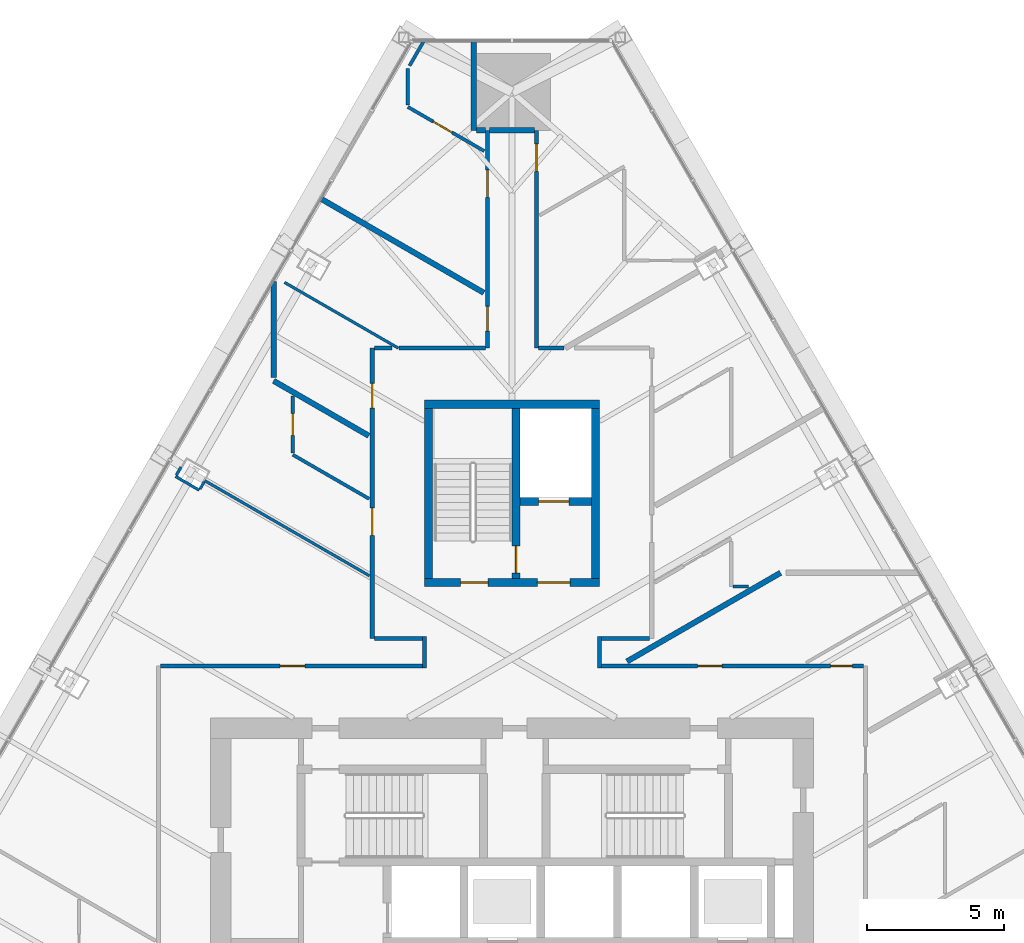
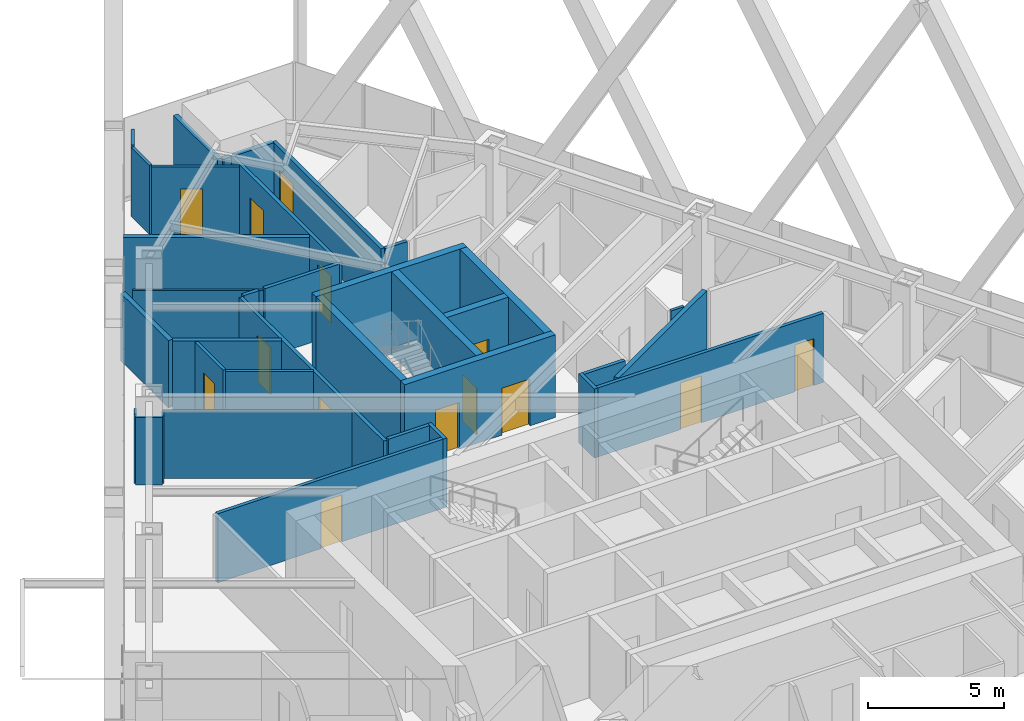
# One storey, part 16 of 19: 36 walls, 14 doors, 14 openings.
"""IFC4 building model written with IfcOpenShell, lengths in metres."""

from ifc_helpers import new_model, si_unit, direction, frame, frame_2d, origin, place, context, subcontext, project, spatial, rectangle, extrude, material, layer, layer_set, type_object, element, fill, save


model = new_model("IFC4")

# Units and contexts
model_context = context("Model", 3, precision=1e-05, world=origin(), true_north=direction((0.0, 1.0)))
body_context = subcontext(model_context, "Body", "Model", "MODEL_VIEW")
ifc_project = project(units=[si_unit("LENGTHUNIT", "METRE"), si_unit("AREAUNIT", "SQUARE_METRE"), si_unit("VOLUMEUNIT", "CUBIC_METRE"), si_unit("PLANEANGLEUNIT", "RADIAN"), si_unit("MASSUNIT", "GRAM", prefix="KILO")], contexts=[model_context])

# Site, building, storey
site_placement = place(None, origin())
site = spatial("IfcSite", under=ifc_project, at=site_placement, CompositionType="ELEMENT")
building_placement = place(site_placement, origin())
building = spatial("IfcBuilding", under=site, at=building_placement, Name="Firuza Gate Tower and Library", CompositionType="ELEMENT")
storey_placement = place(building_placement, frame((0.0, 0.0, 187.0)))
storey = spatial("IfcBuildingStorey", under=building, at=storey_placement, Name="L43", CompositionType="ELEMENT", Elevation=187.0)

# Wall, openings, doors
ifc_material_1 = material(Name="Concrete C80/95", Category="concrete")
ifc_layer_1 = layer(ifc_material_1, 0.300048828125)
ifc_layer_set_1 = layer_set([ifc_layer_1], Name="Core wall 300 C80/95")
wall_type_1 = type_object("IfcWallType", Name="Core wall 300 C80/95", PredefinedType="SHEAR", material=ifc_layer_set_1)
wall_1_placement = place(storey_placement, frame((71.800048828125, 87.949951171875, 0.0), z_axis=(0.0, 0.0, 1.0), x_axis=(1.0, 0.0, 0.0)))
wall_1 = element("IfcWall", 1, at=wall_1_placement, inside=storey, type_object=wall_type_1, Name="Core wall L43 27", PredefinedType="SHEAR", context=body_context, shape_type="SweptSolid", body=[
    extrude(rectangle(XDim=6.39990234375, YDim=0.300048828125, at=frame_2d((3.199951171875, 0.0))), origin(), (0.0, 0.0, 1.0), 3.699951171875),
])
opening_1_placement = place(wall_1_placement, frame((1.324951171875, 0.0, 0.0)))
opening_1 = element("IfcOpeningElement", 2, at=opening_1_placement, cuts=wall_1, Name="Opening L43-K15", PredefinedType="OPENING", context=body_context, shape_type="SweptSolid", body=[
    extrude(rectangle(XDim=1.0, YDim=2.10009765625, at=frame_2d((0.5, 1.050048828125))), frame((0.0, 0.16015625, 0.0), z_axis=(0.0, -1.0, 0.0), x_axis=(1.0, 0.0, 0.0)), (0.0, 0.0, 1.0), 0.320068359375),
])
opening_2_placement = place(wall_1_placement, frame((4.125, 0.0, 0.0)))
opening_2 = element("IfcOpeningElement", 3, at=opening_2_placement, cuts=wall_1, Name="Opening L43-K17", PredefinedType="OPENING", context=body_context, shape_type="SweptSolid", body=[
    extrude(rectangle(XDim=1.199951171875, YDim=2.10009765625, at=frame_2d((0.60009765625, 1.050048828125))), frame((0.0, 0.16015625, 0.0), z_axis=(0.0, -1.0, 0.0), x_axis=(1.0, 0.0, 0.0)), (0.0, 0.0, 1.0), 0.320068359375),
])
ifc_material_2 = material(Name="Steel", Category="steel")
door_type_1 = type_object("IfcDoorType", Name="Fire door 1000x2100 FD90", OperationType="NOTDEFINED", PredefinedType="DOOR", material=ifc_material_2)
door_1_placement = place(opening_1_placement, origin())
door_1 = element("IfcDoor", 4, at=door_1_placement, inside=storey, type_object=door_type_1, Name="Door L43-K15", OperationType="SINGLE_SWING_RIGHT", OverallHeight=2.10009765625, OverallWidth=1.0, PredefinedType="DOOR", context=body_context, shape_type="SweptSolid", body=[
    extrude(rectangle(XDim=1.0, YDim=2.10009765625, at=frame_2d((0.5, 1.050048828125))), frame((0.0, 0.02490234375, 0.0), z_axis=(0.0, -1.0, 0.0), x_axis=(1.0, 0.0, 0.0)), (0.0, 0.0, 1.0), 0.050048828125),
])
fill(opening_1, door_1)
ifc_material_3 = material(Name="Steel", Category="steel")
door_type_2 = type_object("IfcDoorType", Name="Fire door 1200x2100 FD30S", OperationType="NOTDEFINED", PredefinedType="DOOR", material=ifc_material_3)
door_2_placement = place(opening_2_placement, origin())
door_2 = element("IfcDoor", 5, at=door_2_placement, inside=storey, type_object=door_type_2, Name="Door L43-K17", OperationType="SINGLE_SWING_RIGHT", OverallHeight=2.10009765625, OverallWidth=1.199951171875, PredefinedType="DOOR", context=body_context, shape_type="SweptSolid", body=[
    extrude(rectangle(XDim=1.199951171875, YDim=2.10009765625, at=frame_2d((0.60009765625, 1.050048828125))), frame((0.0, 0.02490234375, 0.0), z_axis=(0.0, -1.0, 0.0), x_axis=(1.0, 0.0, 0.0)), (0.0, 0.0, 1.0), 0.050048828125),
])
fill(opening_2, door_2)

# Walls
wall_2_placement = place(storey_placement, frame((71.800048828125, 94.449951171875, 0.0), z_axis=(0.0, 0.0, 1.0), x_axis=(1.0, 0.0, 0.0)))
element("IfcWall", 6, at=wall_2_placement, inside=storey, type_object=wall_type_1, Name="Core wall L43 28", PredefinedType="SHEAR", context=body_context, shape_type="SweptSolid", body=[
    extrude(rectangle(XDim=6.39990234375, YDim=0.300048828125, at=frame_2d((3.199951171875, 0.0))), origin(), (0.0, 0.0, 1.0), 3.699951171875),
])
for number, where, z_axis, x_axis, name in (
    (7, (71.949951171875, 88.10009765625, 0.0), (0.0, 0.0, 1.0), (0.0, 1.0, 0.0), "Core wall L43 29"),
    (8, (78.050048828125, 88.10009765625, 0.0), (0.0, 0.0, 1.0), (0.0, 1.0, 0.0), "Core wall L43 30"),
):
    element("IfcWall", number, at=place(storey_placement, frame(where, z_axis=z_axis, x_axis=x_axis)), inside=storey, type_object=wall_type_1, Name=name, PredefinedType="SHEAR", context=body_context, shape_type="SweptSolid", body=[
        extrude(rectangle(XDim=6.199951171875, YDim=0.300048828125, at=frame_2d((3.10009765625, 0.0))), origin(), (0.0, 0.0, 1.0), 3.699951171875),
    ])

# Wall, opening, door
wall_3_placement = place(storey_placement, frame((75.300048828125, 90.89990234375, 0.0), z_axis=(0.0, 0.0, 1.0), x_axis=(1.0, 0.0, 0.0)))
wall_3 = element("IfcWall", 9, at=wall_3_placement, inside=storey, type_object=wall_type_1, Name="Core wall L43 31", PredefinedType="SHEAR", context=body_context, shape_type="SweptSolid", body=[
    extrude(rectangle(XDim=2.599853515625, YDim=0.300048828125, at=frame_2d((1.2998046875, 0.0))), origin(), (0.0, 0.0, 1.0), 3.699951171875),
])
opening_3_placement = place(wall_3_placement, frame((0.675048828125, 0.0, 0.0)))
opening_3 = element("IfcOpeningElement", 10, at=opening_3_placement, cuts=wall_3, Name="Opening LD-SV1-L43", PredefinedType="OPENING", context=body_context, shape_type="SweptSolid", body=[
    extrude(rectangle(XDim=1.10009765625, YDim=2.10009765625, at=frame_2d((0.550048828125, 1.050048828125))), frame((0.0, 0.16015625, 0.0), z_axis=(0.0, -1.0, 0.0), x_axis=(1.0, 0.0, 0.0)), (0.0, 0.0, 1.0), 0.320068359375),
])
ifc_material_4 = material(Name="Stainless steel", Category="steel")
door_type_3 = type_object("IfcDoorType", Name="Lift landing door 1100x2100", OperationType="DOUBLE_DOOR_SLIDING", PredefinedType="DOOR", material=ifc_material_4)
door_3_placement = place(opening_3_placement, origin())
door_3 = element("IfcDoor", 11, at=door_3_placement, inside=storey, type_object=door_type_3, Name="Landing door SV1 L43", OperationType="DOUBLE_DOOR_SLIDING", OverallHeight=2.10009765625, OverallWidth=1.10009765625, PredefinedType="DOOR", context=body_context, shape_type="SweptSolid", body=[
    extrude(rectangle(XDim=1.10009765625, YDim=2.10009765625, at=frame_2d((0.550048828125, 1.050048828125))), frame((0.0, 0.02490234375, 0.0), z_axis=(0.0, -1.0, 0.0), x_axis=(1.0, 0.0, 0.0)), (0.0, 0.0, 1.0), 0.050048828125),
])
fill(opening_3, door_3)

wall_4_placement = place(storey_placement, frame((75.14990234375, 88.10009765625, 0.0), z_axis=(0.0, 0.0, 1.0), x_axis=(0.0, 1.0, 0.0)))
wall_4 = element("IfcWall", 12, at=wall_4_placement, inside=storey, type_object=wall_type_1, Name="Core wall L43 32", PredefinedType="SHEAR", context=body_context, shape_type="SweptSolid", body=[
    extrude(rectangle(XDim=6.199951171875, YDim=0.300048828125, at=frame_2d((3.10009765625, 0.0))), origin(), (0.0, 0.0, 1.0), 3.699951171875),
])
opening_4_placement = place(wall_4_placement, frame((0.18505859375, 0.0, 0.0)))
opening_4 = element("IfcOpeningElement", 13, at=opening_4_placement, cuts=wall_4, Name="Opening L43-K16", PredefinedType="OPENING", context=body_context, shape_type="SweptSolid", body=[
    extrude(rectangle(XDim=1.0, YDim=2.10009765625, at=frame_2d((0.5, 1.050048828125))), frame((0.0, 0.16015625, 0.0), z_axis=(0.0, -1.0, 0.0), x_axis=(1.0, 0.0, 0.0)), (0.0, 0.0, 1.0), 0.320068359375),
])
door_4_placement = place(opening_4_placement, origin())
door_4 = element("IfcDoor", 14, at=door_4_placement, inside=storey, type_object=door_type_1, Name="Door L43-K16", OperationType="SINGLE_SWING_LEFT", OverallHeight=2.10009765625, OverallWidth=1.0, PredefinedType="DOOR", context=body_context, shape_type="SweptSolid", body=[
    extrude(rectangle(XDim=1.0, YDim=2.10009765625, at=frame_2d((0.5, 1.050048828125))), frame((0.0, 0.02490234375, 0.0), z_axis=(0.0, -1.0, 0.0), x_axis=(1.0, 0.0, 0.0)), (0.0, 0.0, 1.0), 0.050048828125),
])
fill(opening_4, door_4)

ifc_material_5 = material(Name="Gypsum board partition")
ifc_layer_2 = layer(ifc_material_5, 0.14990234375)
ifc_layer_set_2 = layer_set([ifc_layer_2], Name="Corridor wall 150 double board on steel studs")
wall_type_2 = type_object("IfcWallType", Name="Corridor wall 150 double board on steel studs", PredefinedType="PARTITIONING", material=ifc_layer_set_2)
wall_5_placement = place(storey_placement, frame((71.72509765625, 84.89990234375, 0.0), z_axis=(0.0, 0.0, 1.0), x_axis=(-1.0, 0.0, 0.0)))
wall_5 = element("IfcWall", 15, at=wall_5_placement, inside=storey, type_object=wall_type_2, Name="f:L43:w010", PredefinedType="PARTITIONING", context=body_context, shape_type="SweptSolid", body=[
    extrude(rectangle(XDim=9.549560546875, YDim=0.14990234375, at=frame_2d((4.77490234375, 0.0))), origin(), (0.0, 0.0, 1.0), 3.10009765625),
])
opening_5_placement = place(wall_5_placement, frame((4.287353515625, 0.0, 0.0)))
opening_5 = element("IfcOpeningElement", 16, at=opening_5_placement, cuts=wall_5, Name="Opening L43-09", PredefinedType="OPENING", context=body_context, shape_type="SweptSolid", body=[
    extrude(rectangle(XDim=0.89990234375, YDim=2.10009765625, at=frame_2d((0.449951171875, 1.050048828125))), frame((0.0, 0.0849609375, 0.0), z_axis=(0.0, -1.0, 0.0), x_axis=(1.0, 0.0, 0.0)), (0.0, 0.0, 1.0), 0.169921875),
])
ifc_material_6 = material(Name="Steel door and timber leaf", Category="steel")
door_type_4 = type_object("IfcDoorType", Name="Fire door 900 x 2100 steel frame, timber leaf", OperationType="NOTDEFINED", PredefinedType="DOOR", material=ifc_material_6)
door_5_placement = place(opening_5_placement, origin())
door_5 = element("IfcDoor", 17, at=door_5_placement, inside=storey, type_object=door_type_4, Name="f:L43:d009", OperationType="SINGLE_SWING_LEFT", OverallHeight=2.10009765625, OverallWidth=0.89990234375, PredefinedType="DOOR", context=body_context, shape_type="SweptSolid", body=[
    extrude(rectangle(XDim=0.89990234375, YDim=2.10009765625, at=frame_2d((0.449951171875, 1.050048828125))), frame((0.0, 0.02490234375, 0.0), z_axis=(0.0, -1.0, 0.0), x_axis=(1.0, 0.0, 0.0)), (0.0, 0.0, 1.0), 0.050048828125),
])
fill(opening_5, door_5)

# Wall, openings, doors
wall_6_placement = place(storey_placement, frame((78.27490234375, 84.89990234375, 0.0), z_axis=(0.0, 0.0, 1.0), x_axis=(1.0, 0.0, 0.0)))
wall_6 = element("IfcWall", 18, at=wall_6_placement, inside=storey, type_object=wall_type_2, Name="f:L43:w011", PredefinedType="PARTITIONING", context=body_context, shape_type="SweptSolid", body=[
    extrude(rectangle(XDim=9.550048828125, YDim=0.14990234375, at=frame_2d((4.77490234375, 0.0))), origin(), (0.0, 0.0, 1.0), 3.10009765625),
])
opening_6_placement = place(wall_6_placement, frame((3.4970703125, 0.0, 0.0)))
opening_6 = element("IfcOpeningElement", 19, at=opening_6_placement, cuts=wall_6, Name="Opening L43-10", PredefinedType="OPENING", context=body_context, shape_type="SweptSolid", body=[
    extrude(rectangle(XDim=0.89990234375, YDim=2.10009765625, at=frame_2d((0.449951171875, 1.050048828125))), frame((0.0, 0.0849609375, 0.0), z_axis=(0.0, -1.0, 0.0), x_axis=(1.0, 0.0, 0.0)), (0.0, 0.0, 1.0), 0.169921875),
])
opening_7_placement = place(wall_6_placement, frame((8.3505859375, 0.0, 0.0)))
opening_7 = element("IfcOpeningElement", 20, at=opening_7_placement, cuts=wall_6, Name="Opening L43-11", PredefinedType="OPENING", context=body_context, shape_type="SweptSolid", body=[
    extrude(rectangle(XDim=0.800048828125, YDim=2.10009765625, at=frame_2d((0.39990234375, 1.050048828125))), frame((0.0, 0.0849609375, 0.0), z_axis=(0.0, -1.0, 0.0), x_axis=(1.0, 0.0, 0.0)), (0.0, 0.0, 1.0), 0.169921875),
])
ifc_material_7 = material(Name="Timber door", Category="wood")
door_type_5 = type_object("IfcDoorType", Name="Door 800 x 2100 timber leaf", OperationType="NOTDEFINED", PredefinedType="DOOR", material=ifc_material_7)
door_6_placement = place(opening_7_placement, origin())
door_6 = element("IfcDoor", 21, at=door_6_placement, inside=storey, type_object=door_type_5, Name="f:L43:d011", OperationType="SINGLE_SWING_RIGHT", OverallHeight=2.10009765625, OverallWidth=0.800048828125, PredefinedType="DOOR", context=body_context, shape_type="SweptSolid", body=[
    extrude(rectangle(XDim=0.800048828125, YDim=2.10009765625, at=frame_2d((0.39990234375, 1.050048828125))), frame((0.0, 0.02490234375, 0.0), z_axis=(0.0, -1.0, 0.0), x_axis=(1.0, 0.0, 0.0)), (0.0, 0.0, 1.0), 0.050048828125),
])
fill(opening_7, door_6)
door_7_placement = place(opening_6_placement, origin())
door_7 = element("IfcDoor", 22, at=door_7_placement, inside=storey, type_object=door_type_4, Name="f:L43:d010", OperationType="SINGLE_SWING_LEFT", OverallHeight=2.10009765625, OverallWidth=0.89990234375, PredefinedType="DOOR", context=body_context, shape_type="SweptSolid", body=[
    extrude(rectangle(XDim=0.89990234375, YDim=2.10009765625, at=frame_2d((0.449951171875, 1.050048828125))), frame((0.0, 0.02490234375, 0.0), z_axis=(0.0, -1.0, 0.0), x_axis=(1.0, 0.0, 0.0)), (0.0, 0.0, 1.0), 0.050048828125),
])
fill(opening_6, door_7)

# Walls
wall_7_placement = place(storey_placement, frame((69.9755859375, 85.89990234375, 0.0), z_axis=(0.0, 0.0, 1.0), x_axis=(1.0, 0.0, 0.0)))
element("IfcWall", 23, at=wall_7_placement, inside=storey, type_object=wall_type_2, Name="f:L43:w012", PredefinedType="PARTITIONING", context=body_context, shape_type="SweptSolid", body=[
    extrude(rectangle(XDim=1.74951171875, YDim=0.14990234375, at=frame_2d((0.874755859375, 0.0))), origin(), (0.0, 0.0, 1.0), 3.10009765625),
])
wall_8_placement = place(storey_placement, frame((78.27490234375, 85.89990234375, 0.0), z_axis=(0.0, 0.0, 1.0), x_axis=(1.0, 0.0, 0.0)))
element("IfcWall", 24, at=wall_8_placement, inside=storey, type_object=wall_type_2, Name="f:L43:w013", PredefinedType="PARTITIONING", context=body_context, shape_type="SweptSolid", body=[
    extrude(rectangle(XDim=1.75, YDim=0.14990234375, at=frame_2d((0.875, 0.0))), origin(), (0.0, 0.0, 1.0), 3.10009765625),
])
wall_9_placement = place(storey_placement, frame((69.97509765625, 96.5, 0.0), z_axis=(0.0, 0.0, 1.0), x_axis=(1.0, 0.0, 0.0)))
element("IfcWall", 25, at=wall_9_placement, inside=storey, type_object=wall_type_2, Name="f:L43:w016", PredefinedType="PARTITIONING", context=body_context, shape_type="SweptSolid", body=[
    extrude(rectangle(XDim=0.64599609375, YDim=0.14990234375, at=frame_2d((0.322998046875, 0.0))), origin(), (0.0, 0.0, 1.0), 3.10009765625),
])
wall_10_placement = place(storey_placement, frame((75.97509765625, 96.5, 0.0), z_axis=(0.0, 0.0, 1.0), x_axis=(1.0, 0.0, 0.0)))
element("IfcWall", 26, at=wall_10_placement, inside=storey, type_object=wall_type_2, Name="f:L43:w017", PredefinedType="PARTITIONING", context=body_context, shape_type="SweptSolid", body=[
    extrude(rectangle(XDim=0.92529296875, YDim=0.14990234375, at=frame_2d((0.462646484375, 0.0))), origin(), (0.0, 0.0, 1.0), 3.10009765625),
])
wall_11_placement = place(storey_placement, frame((78.199951171875, 84.824951171875, 0.0), z_axis=(0.0, 0.0, 1.0), x_axis=(0.0, 1.0, 0.0)))
element("IfcWall", 27, at=wall_11_placement, inside=storey, type_object=wall_type_2, Name="f:L43:w057", PredefinedType="PARTITIONING", context=body_context, shape_type="SweptSolid", body=[
    extrude(rectangle(XDim=1.150146484375, YDim=0.14990234375, at=frame_2d((0.5751953125, 0.0))), origin(), (0.0, 0.0, 1.0), 3.10009765625),
])

# Wall, opening, door
wall_12_placement = place(storey_placement, frame((75.89990234375, 104.444580078125, 0.0), z_axis=(0.0, 0.0, 1.0), x_axis=(0.0, -1.0, 0.0)))
wall_12 = element("IfcWall", 28, at=wall_12_placement, inside=storey, type_object=wall_type_2, Name="f:L43:w058", PredefinedType="PARTITIONING", context=body_context, shape_type="SweptSolid", body=[
    extrude(rectangle(XDim=7.944580078125, YDim=0.14990234375, at=frame_2d((3.97216796875, 0.0))), origin(), (0.0, 0.0, 1.0), 3.10009765625),
])
opening_8_placement = place(wall_12_placement, frame((0.49462890625, 0.0, 0.0)))
opening_8 = element("IfcOpeningElement", 29, at=opening_8_placement, cuts=wall_12, Name="Opening L43-29", PredefinedType="OPENING", context=body_context, shape_type="SweptSolid", body=[
    extrude(rectangle(XDim=1.0, YDim=2.10009765625, at=frame_2d((0.5, 1.050048828125))), frame((0.0, 0.0849609375, 0.0), z_axis=(0.0, -1.0, 0.0), x_axis=(1.0, 0.0, 0.0)), (0.0, 0.0, 1.0), 0.169921875),
])
ifc_material_8 = material(Name="Steel door and timber leaf", Category="steel")
door_type_6 = type_object("IfcDoorType", Name="Fire door 1000 x 2100 steel frame, timber leaf", OperationType="NOTDEFINED", PredefinedType="DOOR", material=ifc_material_8)
door_8_placement = place(opening_8_placement, origin())
door_8 = element("IfcDoor", 30, at=door_8_placement, inside=storey, type_object=door_type_6, Name="f:L43:d029", OperationType="SINGLE_SWING_LEFT", OverallHeight=2.10009765625, OverallWidth=1.0, PredefinedType="DOOR", context=body_context, shape_type="SweptSolid", body=[
    extrude(rectangle(XDim=1.0, YDim=2.10009765625, at=frame_2d((0.5, 1.050048828125))), frame((0.0, 0.02490234375, 0.0), z_axis=(0.0, -1.0, 0.0), x_axis=(1.0, 0.0, 0.0)), (0.0, 0.0, 1.0), 0.050048828125),
])
fill(opening_8, door_8)

# Wall, openings, doors
wall_13_placement = place(storey_placement, frame((74.10009765625, 96.5, 0.0), z_axis=(0.0, 0.0, 1.0), x_axis=(0.0, 1.0, 0.0)))
wall_13 = element("IfcWall", 31, at=wall_13_placement, inside=storey, type_object=wall_type_2, Name="f:L43:w061", PredefinedType="PARTITIONING", context=body_context, shape_type="SweptSolid", body=[
    extrude(rectangle(XDim=7.945068359375, YDim=0.14990234375, at=frame_2d((3.97265625, 0.0))), origin(), (0.0, 0.0, 1.0), 3.10009765625),
])
opening_9_placement = place(wall_13_placement, frame((0.6240234375, 0.0, 0.0)))
opening_9 = element("IfcOpeningElement", 32, at=opening_9_placement, cuts=wall_13, Name="Opening L43-30", PredefinedType="OPENING", context=body_context, shape_type="SweptSolid", body=[
    extrude(rectangle(XDim=0.89990234375, YDim=2.10009765625, at=frame_2d((0.449951171875, 1.050048828125))), frame((0.0, 0.0849609375, 0.0), z_axis=(0.0, -1.0, 0.0), x_axis=(1.0, 0.0, 0.0)), (0.0, 0.0, 1.0), 0.169921875),
])
opening_10_placement = place(wall_13_placement, frame((5.5009765625, 0.0, 0.0)))
opening_10 = element("IfcOpeningElement", 33, at=opening_10_placement, cuts=wall_13, Name="Opening L43-31", PredefinedType="OPENING", context=body_context, shape_type="SweptSolid", body=[
    extrude(rectangle(XDim=1.0, YDim=2.10009765625, at=frame_2d((0.5, 1.050048828125))), frame((0.0, 0.0849609375, 0.0), z_axis=(0.0, -1.0, 0.0), x_axis=(1.0, 0.0, 0.0)), (0.0, 0.0, 1.0), 0.169921875),
])
door_9_placement = place(opening_10_placement, origin())
door_9 = element("IfcDoor", 34, at=door_9_placement, inside=storey, type_object=door_type_6, Name="f:L43:d031", OperationType="SINGLE_SWING_RIGHT", OverallHeight=2.10009765625, OverallWidth=1.0, PredefinedType="DOOR", context=body_context, shape_type="SweptSolid", body=[
    extrude(rectangle(XDim=1.0, YDim=2.10009765625, at=frame_2d((0.5, 1.050048828125))), frame((0.0, 0.02490234375, 0.0), z_axis=(0.0, -1.0, 0.0), x_axis=(1.0, 0.0, 0.0)), (0.0, 0.0, 1.0), 0.050048828125),
])
fill(opening_10, door_9)
door_10_placement = place(opening_9_placement, origin())
door_10 = element("IfcDoor", 35, at=door_10_placement, inside=storey, type_object=door_type_4, Name="f:L43:d030", OperationType="SINGLE_SWING_RIGHT", OverallHeight=2.10009765625, OverallWidth=0.89990234375, PredefinedType="DOOR", context=body_context, shape_type="SweptSolid", body=[
    extrude(rectangle(XDim=0.89990234375, YDim=2.10009765625, at=frame_2d((0.449951171875, 1.050048828125))), frame((0.0, 0.02490234375, 0.0), z_axis=(0.0, -1.0, 0.0), x_axis=(1.0, 0.0, 0.0)), (0.0, 0.0, 1.0), 0.050048828125),
])
fill(opening_9, door_10)

# Wall
wall_14_placement = place(storey_placement, frame((71.800048828125, 84.824951171875, 0.0), z_axis=(0.0, 0.0, 1.0), x_axis=(0.0, 1.0, 0.0)))
element("IfcWall", 36, at=wall_14_placement, inside=storey, type_object=wall_type_2, Name="f:L43:w064", PredefinedType="PARTITIONING", context=body_context, shape_type="SweptSolid", body=[
    extrude(rectangle(XDim=1.150146484375, YDim=0.14990234375, at=frame_2d((0.5751953125, 0.0))), origin(), (0.0, 0.0, 1.0), 3.10009765625),
])

# Wall, openings, doors
wall_15_placement = place(storey_placement, frame((69.89990234375, 85.900390625, 0.0), z_axis=(0.0, 0.0, 1.0), x_axis=(0.0, 1.0, 0.0)))
wall_15 = element("IfcWall", 37, at=wall_15_placement, inside=storey, type_object=wall_type_2, Name="f:L43:w067", PredefinedType="PARTITIONING", context=body_context, shape_type="SweptSolid", body=[
    extrude(rectangle(XDim=10.599609375, YDim=0.14990234375, at=frame_2d((5.2998046875, 0.0))), origin(), (0.0, 0.0, 1.0), 3.02197265625),
])
opening_11_placement = place(wall_15_placement, frame((3.76708984375, 0.0, 0.0)))
opening_11 = element("IfcOpeningElement", 38, at=opening_11_placement, cuts=wall_15, Name="Opening L43-33", PredefinedType="OPENING", context=body_context, shape_type="SweptSolid", body=[
    extrude(rectangle(XDim=1.0, YDim=2.10009765625, at=frame_2d((0.5, 1.050048828125))), frame((0.0, 0.0849609375, 0.0), z_axis=(0.0, -1.0, 0.0), x_axis=(1.0, 0.0, 0.0)), (0.0, 0.0, 1.0), 0.169921875),
])
opening_12_placement = place(wall_15_placement, frame((8.411865234375, 0.0, 0.0)))
opening_12 = element("IfcOpeningElement", 39, at=opening_12_placement, cuts=wall_15, Name="Opening L43-34", PredefinedType="OPENING", context=body_context, shape_type="SweptSolid", body=[
    extrude(rectangle(XDim=0.89990234375, YDim=2.10009765625, at=frame_2d((0.449951171875, 1.050048828125))), frame((0.0, 0.0849609375, 0.0), z_axis=(0.0, -1.0, 0.0), x_axis=(1.0, 0.0, 0.0)), (0.0, 0.0, 1.0), 0.169921875),
])
door_11_placement = place(opening_11_placement, origin())
door_11 = element("IfcDoor", 40, at=door_11_placement, inside=storey, type_object=door_type_6, Name="f:L43:d033", OperationType="SINGLE_SWING_RIGHT", OverallHeight=2.10009765625, OverallWidth=1.0, PredefinedType="DOOR", context=body_context, shape_type="SweptSolid", body=[
    extrude(rectangle(XDim=1.0, YDim=2.10009765625, at=frame_2d((0.5, 1.050048828125))), frame((0.0, 0.02490234375, 0.0), z_axis=(0.0, -1.0, 0.0), x_axis=(1.0, 0.0, 0.0)), (0.0, 0.0, 1.0), 0.050048828125),
])
fill(opening_11, door_11)
door_12_placement = place(opening_12_placement, origin())
door_12 = element("IfcDoor", 41, at=door_12_placement, inside=storey, type_object=door_type_4, Name="f:L43:d034", OperationType="SINGLE_SWING_LEFT", OverallHeight=2.10009765625, OverallWidth=0.89990234375, PredefinedType="DOOR", context=body_context, shape_type="SweptSolid", body=[
    extrude(rectangle(XDim=0.89990234375, YDim=2.10009765625, at=frame_2d((0.449951171875, 1.050048828125))), frame((0.0, 0.02490234375, 0.0), z_axis=(0.0, -1.0, 0.0), x_axis=(1.0, 0.0, 0.0)), (0.0, 0.0, 1.0), 0.050048828125),
])
fill(opening_12, door_12)

# Walls
wall_16_placement = place(storey_placement, frame((70.87548828125, 96.5, 0.0), z_axis=(0.0, 0.0, 1.0), x_axis=(1.0, 0.0, 0.0)))
element("IfcWall", 42, at=wall_16_placement, inside=storey, type_object=wall_type_2, Name="f:L43:w100", PredefinedType="PARTITIONING", context=body_context, shape_type="SweptSolid", body=[
    extrude(rectangle(XDim=3.1494140625, YDim=0.14990234375, at=frame_2d((1.57470703125, 0.0))), origin(), (0.0, 0.0, 1.0), 3.10009765625),
])
ifc_material_9 = material(Name="Gypsum board partition")
ifc_layer_3 = layer(ifc_material_9, 0.199951171875)
ifc_layer_set_3 = layer_set([ifc_layer_3], Name="Demising wall 200 acoustic double stud")
wall_type_3 = type_object("IfcWallType", Name="Demising wall 200 acoustic double stud", PredefinedType="PARTITIONING", material=ifc_layer_set_3)
wall_17_placement = place(storey_placement, frame((73.700439453125, 104.445068359375, 0.0), z_axis=(0.0, 0.0, 1.0), x_axis=(1.0, 0.0, 0.0)))
element("IfcWall", 43, at=wall_17_placement, inside=storey, type_object=wall_type_3, Name="f:L43:w019", PredefinedType="PARTITIONING", context=body_context, shape_type="SweptSolid", body=[
    extrude(rectangle(XDim=0.324462890625, YDim=0.199951171875, at=frame_2d((0.162109375, 0.0))), origin(), (0.0, 0.0, 1.0), 3.10009765625),
])
wall_18_placement = place(storey_placement, frame((79.197265625, 85.065185546875, 0.0), z_axis=(0.0, 0.0, 1.0), x_axis=(0.86602410867, 0.500002243197, 0.0)))
element("IfcWall", 44, at=wall_18_placement, inside=storey, type_object=wall_type_3, Name="f:L43:w032", PredefinedType="PARTITIONING", context=body_context, shape_type="SweptSolid", body=[
    extrude(rectangle(XDim=6.470703125, YDim=0.199951171875, at=frame_2d((3.2353515625, 0.0))), origin(), (0.0, 0.0, 1.0), 3.10009765625),
])
wall_19_placement = place(storey_placement, frame((73.60009765625, 104.44580078125, 0.0), z_axis=(0.0, 0.0, 1.0), x_axis=(0.0, 1.0, 0.0)))
element("IfcWall", 45, at=wall_19_placement, inside=storey, type_object=wall_type_3, Name="f:L43:w062", PredefinedType="PARTITIONING", context=body_context, shape_type="SweptSolid", body=[
    extrude(rectangle(XDim=3.25927734375, YDim=0.199951171875, at=frame_2d((1.629638671875, 0.0))), origin(), (0.0, 0.0, 1.0), 3.10009765625),
])
wall_20_placement = place(storey_placement, frame((66.300048828125, 95.422607421875, 0.0), z_axis=(0.0, 0.0, 1.0), x_axis=(0.0, 1.0, 0.0)))
element("IfcWall", 46, at=wall_20_placement, inside=storey, type_object=wall_type_3, Name="f:L43:w070", PredefinedType="PARTITIONING", context=body_context, shape_type="SweptSolid", body=[
    extrude(rectangle(XDim=3.509033203125, YDim=0.199951171875, at=frame_2d((1.75439453125, 0.0))), origin(), (0.0, 0.0, 1.0), 3.02197265625),
])
wall_21_placement = place(storey_placement, frame((73.97314453125, 98.518310546875, 0.0), z_axis=(0.0, 0.0, 1.0), x_axis=(-0.866017662945, 0.500013407287, 0.0)))
element("IfcWall", 47, at=wall_21_placement, inside=storey, type_object=wall_type_3, Name="f:L43:w084", PredefinedType="PARTITIONING", context=body_context, shape_type="SweptSolid", body=[
    extrude(rectangle(XDim=6.851806640625, YDim=0.199951171875, at=frame_2d((3.42578125, 0.0))), origin(), (0.0, 0.0, 1.0), 3.10009765625),
])
wall_22_placement = place(storey_placement, frame((69.773193359375, 93.301513671875, 0.0), z_axis=(0.0, 0.0, 1.0), x_axis=(-0.866046692957, 0.499963124258, 0.0)))
element("IfcWall", 48, at=wall_22_placement, inside=storey, type_object=wall_type_3, Name="f:L43:w086", PredefinedType="PARTITIONING", context=body_context, shape_type="SweptSolid", body=[
    extrude(rectangle(XDim=4.010009765625, YDim=0.199951171875, at=frame_2d((2.0048828125, 0.0))), origin(), (0.0, 0.0, 1.0), 3.10009765625),
])
wall_23_placement = place(storey_placement, frame((74.175048828125, 104.445068359375, 0.0), z_axis=(0.0, 0.0, 1.0), x_axis=(1.0, 0.0, 0.0)))
element("IfcWall", 49, at=wall_23_placement, inside=storey, type_object=wall_type_3, Name="f:L43:w102", PredefinedType="PARTITIONING", context=body_context, shape_type="SweptSolid", body=[
    extrude(rectangle(XDim=1.6494140625, YDim=0.199951171875, at=frame_2d((0.82470703125, 0.0))), origin(), (0.0, 0.0, 1.0), 3.096923828125),
])
ifc_material_10 = material(Name="Gypsum board partition")
ifc_layer_4 = layer(ifc_material_10, 0.10009765625)
ifc_layer_set_4 = layer_set([ifc_layer_4], Name="Partition 100 gypsum board on steel studs")
wall_type_4 = type_object("IfcWallType", Name="Partition 100 gypsum board on steel studs", PredefinedType="PARTITIONING", material=ifc_layer_set_4)
wall_24_placement = place(storey_placement, frame((63.6142578125, 91.35888671875, 0.0), z_axis=(0.0, 0.0, 1.0), x_axis=(0.499557828523, 0.866280541142, 0.0)))
element("IfcWall", 50, at=wall_24_placement, inside=storey, type_object=wall_type_4, Name="f:L43:w040", PredefinedType="PARTITIONING", context=body_context, shape_type="SweptSolid", body=[
    extrude(rectangle(XDim=0.299560546875, YDim=0.10009765625, at=frame_2d((0.14990234375, 0.0))), origin(), (0.0, 0.0, 1.0), 3.02197265625),
])
wall_25_placement = place(storey_placement, frame((62.748046875, 91.85888671875, 0.0), z_axis=(0.0, 0.0, 1.0), x_axis=(0.500044870432, 0.865999496279, 0.0)))
element("IfcWall", 51, at=wall_25_placement, inside=storey, type_object=wall_type_4, Name="f:L43:w041", PredefinedType="PARTITIONING", context=body_context, shape_type="SweptSolid", body=[
    extrude(rectangle(XDim=0.349609375, YDim=0.10009765625, at=frame_2d((0.1748046875, 0.0))), origin(), (0.0, 0.0, 1.0), 3.10009765625),
])
wall_26_placement = place(storey_placement, frame((70.8505859375, 96.500244140625, 0.0), z_axis=(0.0, 0.0, 1.0), x_axis=(-0.866016914842, 0.500014702992, 0.0)))
element("IfcWall", 52, at=wall_26_placement, inside=storey, type_object=wall_type_4, Name="f:L43:w085", PredefinedType="PARTITIONING", context=body_context, shape_type="SweptSolid", body=[
    extrude(rectangle(XDim=4.796630859375, YDim=0.10009765625, at=frame_2d((2.3984375, 0.0))), origin(), (0.0, 0.0, 1.0), 3.02197265625),
])
wall_27_placement = place(storey_placement, frame((69.799072265625, 88.19189453125, 0.0), z_axis=(0.0, 0.0, 1.0), x_axis=(-0.866013353477, 0.500020871164, 0.0)))
element("IfcWall", 53, at=wall_27_placement, inside=storey, type_object=wall_type_4, Name="f:L43:w088", PredefinedType="PARTITIONING", context=body_context, shape_type="SweptSolid", body=[
    extrude(rectangle(XDim=6.940185546875, YDim=0.10009765625, at=frame_2d((3.47021484375, 0.0))), origin(), (0.0, 0.0, 1.0), 3.02197265625),
])
wall_28_placement = place(storey_placement, frame((63.58837890625, 91.31591796875, 0.0), z_axis=(0.0, 0.0, 1.0), x_axis=(-0.866039090965, 0.499976292358, 0.0)))
element("IfcWall", 54, at=wall_28_placement, inside=storey, type_object=wall_type_4, Name="f:L43:w089", PredefinedType="PARTITIONING", context=body_context, shape_type="SweptSolid", body=[
    extrude(rectangle(XDim=0.9990234375, YDim=0.10009765625, at=frame_2d((0.49951171875, 0.0))), origin(), (0.0, 0.0, 1.0), 3.02197265625),
])
ifc_material_11 = material(Name="Gypsum board partition")
ifc_layer_5 = layer(ifc_material_11, 0.1201171875)
ifc_layer_set_5 = layer_set([ifc_layer_5], Name="Wet-area partition 120 moisture-resistant board")
wall_type_5 = type_object("IfcWallType", Name="Wet-area partition 120 moisture-resistant board", PredefinedType="PARTITIONING", material=ifc_layer_set_5)
wall_29_placement = place(storey_placement, frame((83.06005859375, 87.800048828125, 0.0), z_axis=(0.0, 0.0, 1.0), x_axis=(1.0, 0.0, 0.0)))
element("IfcWall", 55, at=wall_29_placement, inside=storey, type_object=wall_type_5, Name="f:L43:w014", PredefinedType="PARTITIONING", context=body_context, shape_type="SweptSolid", body=[
    extrude(rectangle(XDim=0.564453125, YDim=0.1201171875, at=frame_2d((0.2822265625, 0.0))), origin(), (0.0, 0.0, 1.0), 3.10009765625),
])
wall_30_placement = place(storey_placement, frame((71.26025390625, 106.802490234375, 0.0), z_axis=(0.0, 0.0, 1.0), x_axis=(0.500094169602, 0.865971028112, 0.0)))
element("IfcWall", 56, at=wall_30_placement, inside=storey, type_object=wall_type_5, Name="f:L43:w042", PredefinedType="PARTITIONING", context=body_context, shape_type="SweptSolid", body=[
    extrude(rectangle(XDim=1.042236328125, YDim=0.1201171875, at=frame_2d((0.52099609375, 0.0))), origin(), (0.0, 0.0, 1.0), 3.10009765625),
])
wall_31_placement = place(storey_placement, frame((71.199951171875, 105.369384765625, 0.0), z_axis=(0.0, 0.0, 1.0), x_axis=(0.0, 1.0, 0.0)))
element("IfcWall", 57, at=wall_31_placement, inside=storey, type_object=wall_type_5, Name="f:L43:w066", PredefinedType="PARTITIONING", context=body_context, shape_type="SweptSolid", body=[
    extrude(rectangle(XDim=1.329345703125, YDim=0.1201171875, at=frame_2d((0.66455078125, 0.0))), origin(), (0.0, 0.0, 1.0), 3.10009765625),
])

# Wall, opening, door
wall_32_placement = place(storey_placement, frame((67.0, 94.74658203125, 0.0), z_axis=(0.0, 0.0, 1.0), x_axis=(0.0, -1.0, 0.0)))
wall_32 = element("IfcWall", 58, at=wall_32_placement, inside=storey, type_object=wall_type_5, Name="f:L43:w068", PredefinedType="PARTITIONING", context=body_context, shape_type="SweptSolid", body=[
    extrude(rectangle(XDim=2.067626953125, YDim=0.1201171875, at=frame_2d((1.03369140625, 0.0))), origin(), (0.0, 0.0, 1.0), 3.10009765625),
])
opening_13_placement = place(wall_32_placement, frame((0.6337890625, 0.0, 0.0)))
opening_13 = element("IfcOpeningElement", 59, at=opening_13_placement, cuts=wall_32, Name="Opening L43-35", PredefinedType="OPENING", context=body_context, shape_type="SweptSolid", body=[
    extrude(rectangle(XDim=0.800048828125, YDim=2.10009765625, at=frame_2d((0.39990234375, 1.050048828125))), frame((0.0, 0.070068359375, 0.0), z_axis=(0.0, -1.0, 0.0), x_axis=(1.0, 0.0, 0.0)), (0.0, 0.0, 1.0), 0.14013671875),
])
door_13_placement = place(opening_13_placement, origin())
door_13 = element("IfcDoor", 60, at=door_13_placement, inside=storey, type_object=door_type_5, Name="f:L43:d035", OperationType="SINGLE_SWING_RIGHT", OverallHeight=2.10009765625, OverallWidth=0.800048828125, PredefinedType="DOOR", context=body_context, shape_type="SweptSolid", body=[
    extrude(rectangle(XDim=0.800048828125, YDim=2.10009765625, at=frame_2d((0.39990234375, 1.050048828125))), frame((0.0, 0.02490234375, 0.0), z_axis=(0.0, -1.0, 0.0), x_axis=(1.0, 0.0, 0.0)), (0.0, 0.0, 1.0), 0.050048828125),
])
fill(opening_13, door_13)

wall_33_placement = place(storey_placement, frame((71.2001953125, 105.300537109375, 0.0), z_axis=(0.0, 0.0, 1.0), x_axis=(0.866010186656, -0.500026355914, 0.0)))
wall_33 = element("IfcWall", 61, at=wall_33_placement, inside=storey, type_object=wall_type_5, Name="f:L43:w083", PredefinedType="PARTITIONING", context=body_context, shape_type="SweptSolid", body=[
    extrude(rectangle(XDim=3.221923828125, YDim=0.1201171875, at=frame_2d((1.61083984375, 0.0))), origin(), (0.0, 0.0, 1.0), 3.10009765625),
])
opening_14_placement = place(wall_33_placement, frame((1.06103515625, 0.0, 0.0)))
opening_14 = element("IfcOpeningElement", 62, at=opening_14_placement, cuts=wall_33, Name="Opening L43-38", PredefinedType="OPENING", context=body_context, shape_type="SweptSolid", body=[
    extrude(rectangle(XDim=0.800048828125, YDim=2.10009765625, at=frame_2d((0.39990234375, 1.050048828125))), frame((0.0, 0.070068359375, 0.0), z_axis=(0.0, -1.0, 0.0), x_axis=(1.0, 0.0, 0.0)), (0.0, 0.0, 1.0), 0.14013671875),
])
door_14_placement = place(opening_14_placement, origin())
door_14 = element("IfcDoor", 63, at=door_14_placement, inside=storey, type_object=door_type_5, Name="f:L43:d038", OperationType="SINGLE_SWING_RIGHT", OverallHeight=2.10009765625, OverallWidth=0.800048828125, PredefinedType="DOOR", context=body_context, shape_type="SweptSolid", body=[
    extrude(rectangle(XDim=0.800048828125, YDim=2.10009765625, at=frame_2d((0.39990234375, 1.050048828125))), frame((0.0, 0.02490234375, 0.0), z_axis=(0.0, -1.0, 0.0), x_axis=(1.0, 0.0, 0.0)), (0.0, 0.0, 1.0), 0.050048828125),
])
fill(opening_14, door_14)

# Wall
wall_34_placement = place(storey_placement, frame((69.790283203125, 90.998291015625, 0.0), z_axis=(0.0, 0.0, 1.0), x_axis=(-0.866029130051, 0.499993545862, 0.0)))
element("IfcWall", 64, at=wall_34_placement, inside=storey, type_object=wall_type_5, Name="f:L43:w087", PredefinedType="PARTITIONING", context=body_context, shape_type="SweptSolid", body=[
    extrude(rectangle(XDim=3.22216796875, YDim=0.1201171875, at=frame_2d((1.611083984375, 0.0))), origin(), (0.0, 0.0, 1.0), 3.10009765625),
])

save(model, "model.ifc")
